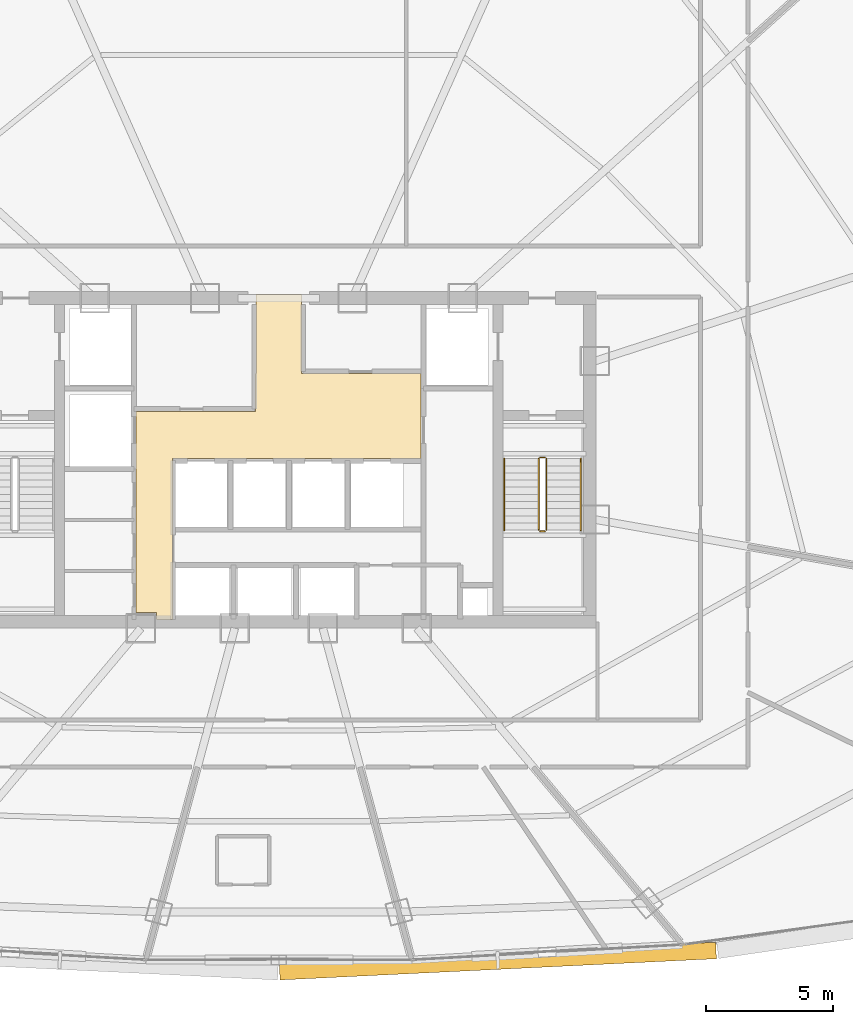
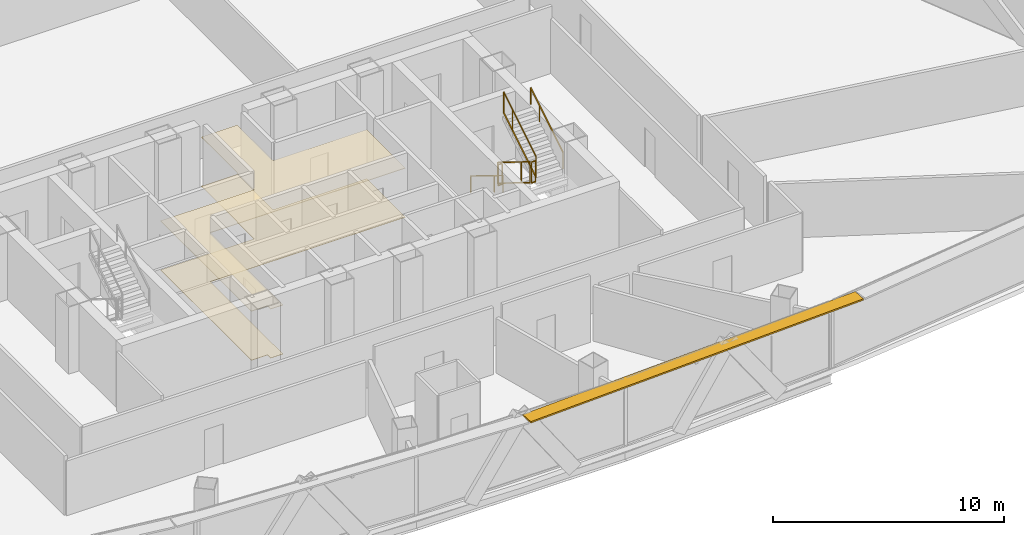
# One storey, part 35 of 37: 6 railings, 2 coverings, 1 shading device.
"""IFC4 building model written with IfcOpenShell, lengths in metres."""

from ifc_helpers import new_model, si_unit, direction, frame, origin, origin_2d, place, context, subcontext, project, spatial, polyline, rectangle, outline, extrude, source, transform, mapped, material, layer, layer_set, type_object, element, save


model = new_model("IFC4")

# Units and contexts
model_context = context("Model", 3, precision=1e-05, world=origin(), true_north=direction((0.0, 1.0)))
body_context = subcontext(model_context, "Body", "Model", "MODEL_VIEW")
ifc_project = project(units=[si_unit("LENGTHUNIT", "METRE"), si_unit("AREAUNIT", "SQUARE_METRE"), si_unit("VOLUMEUNIT", "CUBIC_METRE"), si_unit("PLANEANGLEUNIT", "RADIAN"), si_unit("MASSUNIT", "GRAM", prefix="KILO"), si_unit("THERMODYNAMICTEMPERATUREUNIT", "KELVIN"), si_unit("POWERUNIT", "WATT")], contexts=[model_context])

# Site, building, storey
site_placement = place(None, origin())
site = spatial("IfcSite", under=ifc_project, at=site_placement, CompositionType="ELEMENT")
building_placement = place(site_placement, origin())
building = spatial("IfcBuilding", under=site, at=building_placement, Name="Yunzhuo Pagoda Commons", CompositionType="ELEMENT")
storey_placement = place(building_placement, frame((0.0, 0.0, 196.159912109375)))
storey = spatial("IfcBuildingStorey", under=building, at=storey_placement, Name="L49", CompositionType="ELEMENT", Elevation=196.159912109375)

# Coverings
ifc_material_1 = material(Name="Perforated gypsum acoustic ceiling tile")
ifc_layer_1 = layer(ifc_material_1, 0.030029296875)
ifc_layer_set_1 = layer_set([ifc_layer_1], Name="Perforated gypsum acoustic ceiling tile")
covering_type_1 = type_object("IfcCoveringType", Name="COV-CL2 Ceiling 30", PredefinedType="CEILING", material=ifc_layer_set_1)
covering_1_placement = place(storey_placement, frame((0.0, 0.0, 2.590087890625)))
element("IfcCovering", 1, at=covering_1_placement, inside=storey, type_object=covering_type_1, Name="L49 lift lobby acoustic ceiling", PredefinedType="CEILING", context=body_context, shape_type="SweptSolid", body=[
    extrude(outline(polyline([(42.39990234375, 35.75), (47.080078125, 35.75), (47.080078125, 37.25), (47.10009765625, 37.25), (47.10009765625, 40.35009765625), (48.89990234375, 40.35009765625), (48.89990234375, 37.25), (53.580078125, 37.25), (53.580078125, 33.89990234375), (43.820068359375, 33.89990234375), (43.820068359375, 27.60009765625), (43.207763671875, 27.60009765625), (43.207763671875, 27.85009765625), (43.201904296875, 27.864013671875), (43.187744140625, 27.8701171875), (42.39990234375, 27.8701171875), (42.39990234375, 33.89990234375), (42.39990234375, 35.75)])), origin(), (0.0, 0.0, 1.0), 0.030029296875),
])
ifc_material_2 = material(Name="Porcelain ceramic floor tile")
ifc_layer_2 = layer(ifc_material_2, 0.02001953125)
ifc_layer_set_2 = layer_set([ifc_layer_2], Name="Porcelain ceramic floor tile")
covering_type_2 = type_object("IfcCoveringType", Name="COV-FL1 Flooring 20", PredefinedType="FLOORING", material=ifc_layer_set_2)
covering_2_placement = place(storey_placement, origin())
element("IfcCovering", 2, at=covering_2_placement, inside=storey, type_object=covering_type_2, Name="L49 lift lobby flooring", PredefinedType="FLOORING", context=body_context, shape_type="SweptSolid", body=[
    extrude(outline(polyline([(42.39990234375, 35.75), (47.080078125, 35.75), (47.080078125, 37.25), (47.10009765625, 37.25), (47.10009765625, 40.35009765625), (48.89990234375, 40.35009765625), (48.89990234375, 37.25), (53.580078125, 37.25), (53.580078125, 33.89990234375), (43.820068359375, 33.89990234375), (43.820068359375, 27.60009765625), (43.207763671875, 27.60009765625), (43.207763671875, 27.85009765625), (43.201904296875, 27.864013671875), (43.187744140625, 27.8701171875), (42.39990234375, 27.8701171875), (42.39990234375, 33.89990234375), (42.39990234375, 35.75)])), origin(), (0.0, 0.0, 1.0), 0.02001953125),
])

# Railings
ifc_material_3 = material(Name="Anodized aluminium 6063-T6", Category="aluminium")
railing_type_1 = type_object("IfcRailingType", Name="GR-ST2 Stair Well Guardrail 1160", PredefinedType="GUARDRAIL", material=ifc_material_3)
railing_1_placement = place(storey_placement, frame((58.199951171875, 33.89990234375, 0.1728515625)))
element("IfcRailing", 3, at=railing_1_placement, inside=storey, type_object=railing_type_1, Name="L49 ST2 stair guard 1", PredefinedType="GUARDRAIL", context=body_context, shape_type="SweptSolid", body=[
    extrude(rectangle(XDim=0.048095703125, YDim=0.048095703125, at=origin_2d()), frame((0.0, 0.0, 1.1259765625), z_axis=(0.0, -0.851069175582, 0.525053576669), x_axis=(1.0, 0.0, 0.0)), (0.0, 0.0, 1.0), 3.289794921875),
    extrude(rectangle(XDim=0.048095703125, YDim=0.048095703125, at=origin_2d()), frame((0.0, 0.0, 0.02392578125), z_axis=(0.0, -0.851069175582, 0.525053576669), x_axis=(1.0, 0.0, 0.0)), (0.0, 0.0, 1.0), 3.289794921875),
    extrude(rectangle(XDim=0.0419921875, YDim=0.0419921875, at=origin_2d()), origin(), (0.0, 0.0, 1.0), 1.101806640625),
    extrude(rectangle(XDim=0.0419921875, YDim=0.0419921875, at=origin_2d()), frame((0.0, -2.04248046875, 1.260009765625)), (0.0, 0.0, 1.0), 1.101806640625),
    extrude(rectangle(XDim=0.0419921875, YDim=0.0419921875, at=origin_2d()), frame((0.0, -2.7998046875, 1.727294921875)), (0.0, 0.0, 1.0), 1.101806640625),
])
railing_2_placement = place(storey_placement, frame((58.25, 31.050048828125, 1.900146484375)))
element("IfcRailing", 4, at=railing_2_placement, inside=storey, type_object=railing_type_1, Name="L49 ST2 stair guard 2", PredefinedType="GUARDRAIL", context=body_context, shape_type="SweptSolid", body=[
    extrude(rectangle(XDim=0.048095703125, YDim=0.048095703125, at=origin_2d()), frame((0.0, 0.0, 1.1259765625), z_axis=(1.0, 0.0, 0.0), x_axis=(0.0, 1.0, 0.0)), (0.0, 0.0, 1.0), 0.199951171875),
    extrude(rectangle(XDim=0.048095703125, YDim=0.048095703125, at=origin_2d()), frame((0.0, 0.0, 0.02392578125), z_axis=(1.0, 0.0, 0.0), x_axis=(0.0, 1.0, 0.0)), (0.0, 0.0, 1.0), 0.199951171875),
    extrude(rectangle(XDim=0.0419921875, YDim=0.0419921875, at=origin_2d()), origin(), (0.0, 0.0, 1.0), 1.101806640625),
    extrude(rectangle(XDim=0.0419921875, YDim=0.0419921875, at=origin_2d()), frame((0.199951171875, 0.0, 0.0)), (0.0, 0.0, 1.0), 1.101806640625),
])
railing_3_placement = place(storey_placement, frame((58.5, 31.10009765625, 2.07275390625)))
element("IfcRailing", 5, at=railing_3_placement, inside=storey, type_object=railing_type_1, Name="L49 ST2 stair guard 3", PredefinedType="GUARDRAIL", context=body_context, shape_type="SweptSolid", body=[
    extrude(rectangle(XDim=0.048095703125, YDim=0.048095703125, at=origin_2d()), frame((0.0, 0.0, 1.1259765625), z_axis=(0.0, 0.851069175582, 0.525053576669), x_axis=(-1.0, 0.0, 0.0)), (0.0, 0.0, 1.0), 3.289794921875),
    extrude(rectangle(XDim=0.048095703125, YDim=0.048095703125, at=origin_2d()), frame((0.0, 0.0, 0.02392578125), z_axis=(0.0, 0.851069175582, 0.525053576669), x_axis=(-1.0, 0.0, 0.0)), (0.0, 0.0, 1.0), 3.289794921875),
    extrude(rectangle(XDim=0.0419921875, YDim=0.0419921875, at=origin_2d()), origin(), (0.0, 0.0, 1.0), 1.101806640625),
    extrude(rectangle(XDim=0.0419921875, YDim=0.0419921875, at=origin_2d()), frame((0.0, 2.04248046875, 1.260009765625)), (0.0, 0.0, 1.0), 1.101806640625),
    extrude(rectangle(XDim=0.0419921875, YDim=0.0419921875, at=origin_2d()), frame((0.0, 2.7998046875, 1.727294921875)), (0.0, 0.0, 1.0), 1.101806640625),
])
railing_4_placement = place(storey_placement, frame((58.25, 33.949951171875, 0.0)))
element("IfcRailing", 6, at=railing_4_placement, inside=storey, type_object=railing_type_1, Name="L49 ST2 stair guard 4", PredefinedType="GUARDRAIL", context=body_context, shape_type="SweptSolid", body=[
    extrude(rectangle(XDim=0.048095703125, YDim=0.048095703125, at=origin_2d()), frame((0.0, 0.0, 1.1259765625), z_axis=(1.0, 0.0, 0.0), x_axis=(0.0, 1.0, 0.0)), (0.0, 0.0, 1.0), 0.199951171875),
    extrude(rectangle(XDim=0.048095703125, YDim=0.048095703125, at=origin_2d()), frame((0.0, 0.0, 0.02392578125), z_axis=(1.0, 0.0, 0.0), x_axis=(0.0, 1.0, 0.0)), (0.0, 0.0, 1.0), 0.199951171875),
    extrude(rectangle(XDim=0.0419921875, YDim=0.0419921875, at=origin_2d()), origin(), (0.0, 0.0, 1.0), 1.101806640625),
    extrude(rectangle(XDim=0.0419921875, YDim=0.0419921875, at=origin_2d()), frame((0.199951171875, 0.0, 0.0)), (0.0, 0.0, 1.0), 1.101806640625),
])
railing_type_2 = type_object("IfcRailingType", Name="HR-ST2 Stair Handrail 900", PredefinedType="HANDRAIL", material=ifc_material_3)
railing_5_placement = place(storey_placement, frame((56.85009765625, 33.89990234375, 0.1728515625)))
element("IfcRailing", 7, at=railing_5_placement, inside=storey, type_object=railing_type_2, Name="L49 ST2 stair handrail 1", PredefinedType="HANDRAIL", context=body_context, shape_type="SweptSolid", body=[
    extrude(rectangle(XDim=0.048095703125, YDim=0.048095703125, at=origin_2d()), frame((0.0, 0.0, 0.8759765625), z_axis=(0.0, -0.851069175582, 0.525053576669), x_axis=(1.0, 0.0, 0.0)), (0.0, 0.0, 1.0), 3.289794921875),
    extrude(rectangle(XDim=0.0419921875, YDim=0.0419921875, at=origin_2d()), origin(), (0.0, 0.0, 1.0), 0.851806640625),
    extrude(rectangle(XDim=0.0419921875, YDim=0.0419921875, at=origin_2d()), frame((0.0, -2.04248046875, 1.260009765625)), (0.0, 0.0, 1.0), 0.851806640625),
    extrude(rectangle(XDim=0.0419921875, YDim=0.0419921875, at=origin_2d()), frame((0.0, -2.7998046875, 1.727294921875)), (0.0, 0.0, 1.0), 0.851806640625),
])
railing_6_placement = place(storey_placement, frame((59.85009765625, 31.10009765625, 2.07275390625)))
element("IfcRailing", 8, at=railing_6_placement, inside=storey, type_object=railing_type_2, Name="L49 ST2 stair handrail 2", PredefinedType="HANDRAIL", context=body_context, shape_type="SweptSolid", body=[
    extrude(rectangle(XDim=0.048095703125, YDim=0.048095703125, at=origin_2d()), frame((0.0, 0.0, 0.8759765625), z_axis=(0.0, 0.851069175582, 0.525053576669), x_axis=(-1.0, 0.0, 0.0)), (0.0, 0.0, 1.0), 3.289794921875),
    extrude(rectangle(XDim=0.0419921875, YDim=0.0419921875, at=origin_2d()), origin(), (0.0, 0.0, 1.0), 0.851806640625),
    extrude(rectangle(XDim=0.0419921875, YDim=0.0419921875, at=origin_2d()), frame((0.0, 2.04248046875, 1.260009765625)), (0.0, 0.0, 1.0), 0.851806640625),
    extrude(rectangle(XDim=0.0419921875, YDim=0.0419921875, at=origin_2d()), frame((0.0, 2.7998046875, 1.727294921875)), (0.0, 0.0, 1.0), 0.851806640625),
])

# Shading device
ifc_layer_3 = layer(ifc_material_3, 0.080078125)
ifc_layer_set_3 = layer_set([ifc_layer_3], Name="Anodized aluminium 6063-T6")
shading_device_type = type_object("IfcShadingDeviceType", Name="SH-SUN1 Pagoda Horizontal Sunshade Eave 650", PredefinedType="USERDEFINED", material=ifc_layer_set_3)
shared_shape = source(origin(), body_context, "Body", "SweptSolid", [
    extrude(rectangle(XDim=17.143798828125, YDim=0.64990234375, at=origin_2d()), origin(), (0.0, 0.0, 1.0), 0.080078125),
])
shading_device_placement = place(storey_placement, frame((56.593505859375, 14.1875, 3.4599609375), z_axis=(0.0, 0.0, 1.0), x_axis=(0.998818043775, 0.04860571396, 0.0)))
element("IfcShadingDevice", 9, at=shading_device_placement, inside=storey, type_object=shading_device_type, Name="L49 horizontal pagoda sunshade eave F1.3", ObjectType="SUNSHADE", PredefinedType="USERDEFINED", context=body_context, shape_type="MappedRepresentation", body=[
    mapped(shared_shape, transform((0.0, 0.0, 0.0), scale=1.0)),
])

save(model, "model.ifc")
